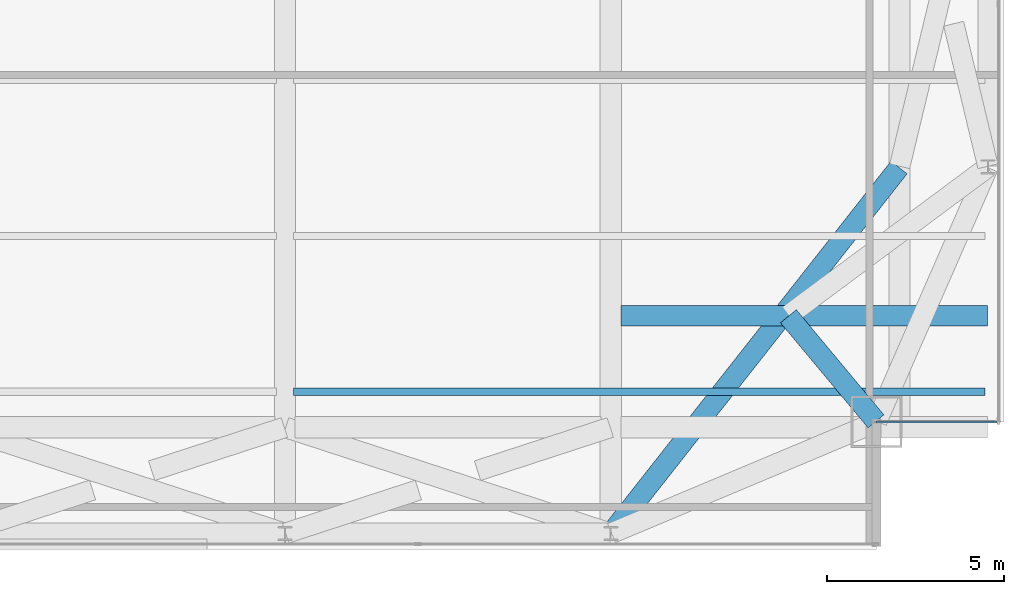
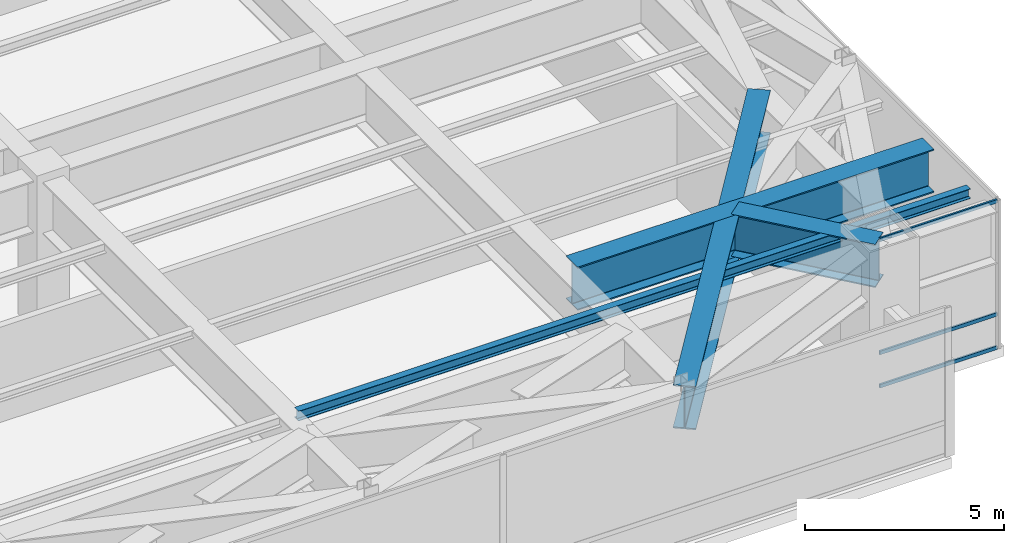
# One storey, part 15 of 32: 4 beams, 3 members, 1 element without a shape of its own.
"""IFC4 building model written with IfcOpenShell, lengths in metres."""

import ifcopenshell
import ifcopenshell.guid

model = None  # the IFC model being written
_history = None  # IfcOwnerHistory: only IFC2X3 demands one
_inside = {}  # id of a spatial element -> (the spatial element, [elements in it])
_under = {}  # id of a project, library or spatial element -> (it, [spatial elements below it])
_declared = {}  # id of a project -> (the project, [libraries it declares])
_typed = {}  # id of a type object -> (the type object, [elements of that type])
_made_of = {}  # id of a material, layer set ... -> (it, [elements and type objects made of it])


def new_model(schema):
    """Start an empty IFC model of exactly this schema.

    Asked for "IFC4X3", IfcOpenShell would pick the latest addendum, in which some entities
    have other attributes; the version numbers below select the first issue.
    IFC2X3 requires an IfcOwnerHistory on every rooted entity: one is made here for all.
    """
    global model, _history
    if schema == "IFC4X3":
        model = ifcopenshell.file(schema_version=(4, 3, 0, 0))
    else:
        model = ifcopenshell.file(schema=schema)
    _inside.clear()
    _under.clear()
    _declared.clear()
    _typed.clear()
    _made_of.clear()
    _history = None
    if model.schema == "IFC2X3":
        org = make("IfcOrganization", Name="unknown")
        user = make(
            "IfcPersonAndOrganization",
            ThePerson=make("IfcPerson", FamilyName="unknown"),
            TheOrganization=org,
        )
        app = make(
            "IfcApplication",
            ApplicationDeveloper=org,
            Version="unknown",
            ApplicationFullName="unknown",
            ApplicationIdentifier="unknown",
        )
        _history = make(
            "IfcOwnerHistory",
            OwningUser=user,
            OwningApplication=app,
            ChangeAction="ADDED",
            CreationDate=0,
        )
    return model


def make(cls, **values):
    """One entity of the class cls with the attributes given. An attribute that is None is left unset."""
    return model.create_entity(
        cls, **{name: value for name, value in values.items() if value is not None}
    )


def rooted(cls, **values):
    """An entity with a GlobalId (a new one), such as an element, a storey or a relation."""
    return make(cls, GlobalId=ifcopenshell.guid.new(), OwnerHistory=_history, **values)


def si_unit(unit_type, name, prefix=None):
    """IfcSIUnit, for example si_unit("LENGTHUNIT", "METRE", prefix="MILLI")."""
    return make("IfcSIUnit", UnitType=unit_type, Prefix=prefix, Name=name)


def assignment(units):
    """IfcUnitAssignment: the units of a project."""
    return None if units is None else make("IfcUnitAssignment", Units=units)


def point(xyz):
    """IfcCartesianPoint."""
    return None if xyz is None else make("IfcCartesianPoint", Coordinates=xyz)


def direction(xyz):
    """IfcDirection."""
    return None if xyz is None else make("IfcDirection", DirectionRatios=xyz)


def frame(location, z_axis=None, x_axis=None):
    """IfcAxis2Placement3D, a coordinate frame: its origin and axes. An axis left out is left unset."""
    return make(
        "IfcAxis2Placement3D",
        Location=point(location),
        Axis=direction(z_axis),
        RefDirection=direction(x_axis),
    )


def frame_2d(location, x_axis=None):
    """IfcAxis2Placement2D, a coordinate frame in the plane: its origin and x axis."""
    return make(
        "IfcAxis2Placement2D", Location=point(location), RefDirection=direction(x_axis)
    )


def origin():
    """The frame at (0, 0, 0) with its axes left unset."""
    return frame((0.0, 0.0, 0.0))


def origin_2d():
    """The frame at (0, 0) in the plane with its x axis left unset."""
    return frame_2d((0.0, 0.0))


def place(relative_to, where):
    """IfcLocalPlacement: puts the frame where relative to a parent placement (None: the world)."""
    return make(
        "IfcLocalPlacement", PlacementRelTo=relative_to, RelativePlacement=where
    )


def context(
    kind, dimensions, precision=None, world=None, true_north=None, identifier=None
):
    """IfcGeometricRepresentationContext, for example the 3D "Model" context."""
    return make(
        "IfcGeometricRepresentationContext",
        ContextIdentifier=identifier,
        ContextType=kind,
        CoordinateSpaceDimension=dimensions,
        Precision=precision,
        WorldCoordinateSystem=world,
        TrueNorth=true_north,
    )


def subcontext(parent, identifier, kind, view, scale=None):
    """IfcGeometricRepresentationSubContext, for example "Body" below "Model"."""
    return make(
        "IfcGeometricRepresentationSubContext",
        ContextIdentifier=identifier,
        ContextType=kind,
        ParentContext=parent,
        TargetScale=scale,
        TargetView=view,
    )


def project(units=None, contexts=None):
    """IfcProject with its units and contexts."""
    return rooted(
        "IfcProject",
        Name="project",
        RepresentationContexts=contexts,
        UnitsInContext=assignment(units),
    )


def spatial(cls, under=None, at=None, **own):
    """A site, building, storey or space (cls), placed at a placement, below another one or the project."""
    s = rooted(cls, ObjectPlacement=at, **own)
    if under is not None:
        _under.setdefault(under.id(), (under, []))[1].append(s)
    return s


def profile(cls, at=None, kind="AREA", **sizes):
    """A parametric profile (cls). Its sizes go by their IFC names, for example OverallWidth=200.0."""
    return make(cls, ProfileType=kind, Position=at, **sizes)


def hollow_rectangle(**sizes):
    """IfcRectangleHollowProfileDef."""
    return profile("IfcRectangleHollowProfileDef", **sizes)


def i_section(**sizes):
    """IfcIShapeProfileDef."""
    return profile("IfcIShapeProfileDef", **sizes)


def extrude(swept, where, along, depth):
    """IfcExtrudedAreaSolid: the profile swept, set in the frame where, extruded along a direction by depth."""
    return make(
        "IfcExtrudedAreaSolid",
        SweptArea=swept,
        Position=where,
        ExtrudedDirection=direction(along),
        Depth=depth,
    )


def shape(context_of_items, identifier, shape_type, items):
    """IfcShapeRepresentation: the items that make up one representation, for example the "Body"."""
    return make(
        "IfcShapeRepresentation",
        ContextOfItems=context_of_items,
        RepresentationIdentifier=identifier,
        RepresentationType=shape_type,
        Items=items,
    )


def source(mapping_origin, context_of_items, identifier, shape_type, items):
    """IfcRepresentationMap: a shape defined once, which mapped items show again and again."""
    return make(
        "IfcRepresentationMap",
        MappingOrigin=mapping_origin,
        MappedRepresentation=shape(context_of_items, identifier, shape_type, items),
    )


def transform(
    local_origin,
    x_axis=None,
    y_axis=None,
    z_axis=None,
    scale=None,
    scale2=None,
    scale3=None,
    uniform=True,
):
    """IfcCartesianTransformationOperator3D, or its non-uniform kind. x_axis, y_axis, z_axis: its Axis1, 2, 3."""
    if uniform:
        return make(
            "IfcCartesianTransformationOperator3D",
            Axis1=direction(x_axis),
            Axis2=direction(y_axis),
            LocalOrigin=point(local_origin),
            Scale=scale,
            Axis3=direction(z_axis),
        )
    return make(
        "IfcCartesianTransformationOperator3DnonUniform",
        Axis1=direction(x_axis),
        Axis2=direction(y_axis),
        LocalOrigin=point(local_origin),
        Scale=scale,
        Axis3=direction(z_axis),
        Scale2=scale2,
        Scale3=scale3,
    )


def mapped(mapping_source, mapping_target):
    """IfcMappedItem: shows the shape of a source again, moved by a transform."""
    return make(
        "IfcMappedItem", MappingSource=mapping_source, MappingTarget=mapping_target
    )


def material(Name=None, Category=None):
    """IfcMaterial."""
    return make("IfcMaterial", Name=Name, Category=Category)


def layer(
    of_material, thickness, ventilated=None, Name=None, Category=None, Priority=None
):
    """IfcMaterialLayer: one layer of a wall or slab, of a material (None: an air gap)."""
    return make(
        "IfcMaterialLayer",
        Material=of_material,
        LayerThickness=thickness,
        IsVentilated=ventilated,
        Name=Name,
        Category=Category,
        Priority=Priority,
    )


def layer_set(layers, Name=None):
    """IfcMaterialLayerSet."""
    return make("IfcMaterialLayerSet", MaterialLayers=layers, LayerSetName=Name)


def material_profile(
    of_material, cross_section, Name=None, Category=None, Priority=None
):
    """IfcMaterialProfile: a cross section and its material."""
    return make(
        "IfcMaterialProfile",
        Name=Name,
        Material=of_material,
        Profile=cross_section,
        Priority=Priority,
        Category=Category,
    )


def profile_set(profiles, Name=None, composite=None):
    """IfcMaterialProfileSet."""
    return make(
        "IfcMaterialProfileSet",
        Name=Name,
        MaterialProfiles=profiles,
        CompositeProfile=composite,
    )


def made_of(thing, what):
    """Note that an element or type object is made of a material, layer set ...; save() writes the relation."""
    if what is not None:
        _made_of.setdefault(what.id(), (what, []))[1].append(thing)
    return thing


def type_object(cls, material=None, **own):
    """A type object (cls), such as IfcWallType, which elements share."""
    return made_of(rooted(cls, **own), material)


def type_shapes(of_type, sources):
    """Give a type object the sources (RepresentationMaps) that its elements show as mapped items."""
    of_type.RepresentationMaps = sources


def element(
    cls,
    number,
    at=None,
    inside=None,
    cuts=None,
    type_object=None,
    material=None,
    context=None,
    identifier="Body",
    shape_type=None,
    held_by="IfcProductDefinitionShape",
    body=None,
    shapes=None,
    **own,
):
    """One element of the class cls, such as IfcWall. Its Tag is "e" and its number.

    at: its placement. inside: the storey or other place that contains it. cuts: it is an
    opening in that element (IfcRelVoidsElement). A single representation is given by context,
    identifier, shape_type and body (its items); several are given by shapes. held_by: the class
    of the entity that holds the representations. save() writes the other relations.
    """
    e = rooted(cls, Tag="e%d" % number, ObjectPlacement=at, **own)
    if body is not None:
        shapes = [shape(context, identifier, shape_type, body)]
    if shapes is not None:
        e.Representation = make(held_by, Representations=shapes)
    if inside is not None:
        _inside.setdefault(inside.id(), (inside, []))[1].append(e)
    if cuts is not None:
        rooted(
            "IfcRelVoidsElement", RelatingBuildingElement=cuts, RelatedOpeningElement=e
        )
    if type_object is not None:
        _typed.setdefault(type_object.id(), (type_object, []))[1].append(e)
    return made_of(e, material)


def aggregate(whole, parts):
    """IfcRelAggregates: a whole, such as a stair, and the parts it consists of."""
    return rooted("IfcRelAggregates", RelatingObject=whole, RelatedObjects=parts)


def save(model, path):
    """Write the relations noted so far, then the file.

    IfcRelAggregates (storeys below a building ...), IfcRelContainedInSpatialStructure (elements
    in a storey), IfcRelDefinesByType, IfcRelAssociatesMaterial and IfcRelDeclares: one each for
    every whole, place, type object, material and project.
    """
    for whole, parts in _under.values():
        aggregate(whole, parts)
    for where, things in _inside.values():
        rooted(
            "IfcRelContainedInSpatialStructure",
            RelatedElements=things,
            RelatingStructure=where,
        )
    for kind, things in _typed.values():
        rooted("IfcRelDefinesByType", RelatedObjects=things, RelatingType=kind)
    for what, things in _made_of.values():
        rooted("IfcRelAssociatesMaterial", RelatedObjects=things, RelatingMaterial=what)
    for by, libraries in _declared.values():
        rooted("IfcRelDeclares", RelatingContext=by, RelatedDefinitions=libraries)
    model.write(path)


model = new_model("IFC4")

# Units and contexts
model_context = context("Model", 3, precision=1e-05, world=origin(), true_north=direction((0.0, 1.0)))
body_context = subcontext(model_context, "Body", "Model", "MODEL_VIEW")
ifc_project = project(units=[si_unit("LENGTHUNIT", "METRE"), si_unit("AREAUNIT", "SQUARE_METRE"), si_unit("VOLUMEUNIT", "CUBIC_METRE"), si_unit("PLANEANGLEUNIT", "RADIAN"), si_unit("MASSUNIT", "GRAM", prefix="KILO")], contexts=[model_context])

# Site, building, storey
site_placement = place(None, origin())
site = spatial("IfcSite", under=ifc_project, at=site_placement, CompositionType="ELEMENT")
building_placement = place(site_placement, origin())
building = spatial("IfcBuilding", under=site, at=building_placement, Name="Varnel Quay Broadcast Tower", CompositionType="ELEMENT")
storey_placement = place(building_placement, frame((0.0, 0.0, 141.0)))
storey = spatial("IfcBuildingStorey", under=building, at=storey_placement, Name="L34", CompositionType="ELEMENT", Elevation=141.0)

# Beams
ifc_material_1 = material(Name="Structural Steel CSA G40.21 350WT", Category="steel")
ifc_material_profile_1 = material_profile(ifc_material_1, i_section(OverallWidth=0.580078125, OverallDepth=1.330078125, WebThickness=0.02197265625, FlangeThickness=0.0380859375, FilletRadius=0.02001953125, at=origin_2d()), Name="WWF1330X535")
ifc_profile_set_1 = profile_set([ifc_material_profile_1], Name="Structural Steel CSA G40.21 350WT")
beam_type_1 = type_object("IfcBeamType", Name="Girder_WWF1330X535", PredefinedType="BEAM", material=ifc_profile_set_1)
shared_shape_1 = source(origin(), body_context, "Body", "SweptSolid", [
    extrude(i_section(OverallWidth=0.580078125, OverallDepth=1.330078125, WebThickness=0.02197265625, FlangeThickness=0.0380859375, FilletRadius=0.02001953125, at=origin_2d()), origin(), (0.0, 0.0, 1.0), 3.864990234375),
])
beam_1_placement = place(storey_placement, frame((59.88720703125, 7.8154296875, 3.885009765625), z_axis=(-0.640184399664, 0.768221279597, 0.0), x_axis=(-0.768221279597, -0.640184399664, 0.0)))
element("IfcBeam", 1, at=beam_1_placement, inside=storey, type_object=beam_type_1, Name="L34 Nodal Transfer Tie MC-SE-MC-SE", PredefinedType="BEAM", context=body_context, shape_type="MappedRepresentation", body=[
    mapped(shared_shape_1, transform((0.0, 0.0, 0.0), x_axis=(1.0, 0.0, 0.0), y_axis=(0.0, 1.0, 0.0), z_axis=(0.0, 0.0, 1.0), scale=1.0)),
])
shared_shape_2 = source(origin(), body_context, "Body", "SweptSolid", [
    extrude(i_section(OverallWidth=0.580078125, OverallDepth=1.330078125, WebThickness=0.02197265625, FlangeThickness=0.0380859375, FilletRadius=0.02001953125, at=origin_2d()), origin(), (0.0, 0.0, 1.0), 10.344970703125),
])
beam_2_placement = place(storey_placement, frame((52.68505859375, 10.800048828125, 3.885009765625), z_axis=(1.0, 0.0, 0.0), x_axis=(0.0, 1.0, 0.0)))
element("IfcBeam", 2, at=beam_2_placement, inside=storey, type_object=beam_type_1, Name="L34 Setback Corner South Transfer 6", PredefinedType="BEAM", context=body_context, shape_type="MappedRepresentation", body=[
    mapped(shared_shape_2, transform((0.0, 0.0, 0.0), x_axis=(1.0, 0.0, 0.0), y_axis=(0.0, 1.0, 0.0), z_axis=(0.0, 0.0, 1.0), scale=1.0)),
])
shared_shape_3 = source(origin(), body_context, "Body", "SweptSolid", [
    extrude(i_section(OverallWidth=0.580078125, OverallDepth=1.330078125, WebThickness=0.02197265625, FlangeThickness=0.0380859375, FilletRadius=0.02001953125, at=origin_2d()), origin(), (0.0, 0.0, 1.0), 13.133544921875),
])
type_shapes(beam_type_1, [shared_shape_1, shared_shape_2, shared_shape_3])
beam_3_placement = place(storey_placement, frame((52.412353515625, 4.665771484375, 3.885009765625), z_axis=(0.61865776221, 0.785660596732, 0.0), x_axis=(-0.785660596732, 0.61865776221, 0.0)))
element("IfcBeam", 3, at=beam_3_placement, inside=storey, type_object=beam_type_1, Name="L34 Nodal Transfer Tie TC-E1-TC-S5", PredefinedType="BEAM", context=body_context, shape_type="MappedRepresentation", body=[
    mapped(shared_shape_3, transform((0.0, 0.0, 0.0), x_axis=(1.0, 0.0, 0.0), y_axis=(0.0, 1.0, 0.0), z_axis=(0.0, 0.0, 1.0), scale=1.0)),
])
ifc_material_2 = material(Name="Structural Steel CSA G40.21 350W", Category="steel")
ifc_material_profile_2 = material_profile(ifc_material_2, i_section(OverallWidth=0.202880859375, OverallDepth=0.302978515625, WebThickness=0.007568359375, FlangeThickness=0.01318359375, FilletRadius=0.011962890625, at=origin_2d()), Name="W310X60")
ifc_profile_set_2 = profile_set([ifc_material_profile_2], Name="Structural Steel CSA G40.21 350W")
beam_type_2 = type_object("IfcBeamType", Name="Beam_W310X60", PredefinedType="JOIST", material=ifc_profile_set_2)
shared_shape_4 = source(origin(), body_context, "Body", "SweptSolid", [
    extrude(i_section(OverallWidth=0.202880859375, OverallDepth=0.302978515625, WebThickness=0.007568359375, FlangeThickness=0.01318359375, FilletRadius=0.011962890625, at=origin_2d()), origin(), (0.0, 0.0, 1.0), 19.51953125),
])
type_shapes(beam_type_2, [shared_shape_4])
beam_4_placement = place(storey_placement, frame((43.445068359375, 8.64990234375, 4.3984375), z_axis=(1.0, 0.0, 0.0), x_axis=(0.0, 1.0, 0.0)))
element("IfcBeam", 4, at=beam_4_placement, inside=storey, type_object=beam_type_2, Name="L34 East Floor Joist 1", PredefinedType="JOIST", context=body_context, shape_type="MappedRepresentation", body=[
    mapped(shared_shape_4, transform((0.0, 0.0, 0.0), x_axis=(1.0, 0.0, 0.0), y_axis=(0.0, 1.0, 0.0), z_axis=(0.0, 0.0, 1.0), scale=1.0)),
])

# Curtain wall, members
ifc_material_3 = material(Name="Anodised Bronze Aluminium 6063-T6", Category="aluminium")
ifc_layer = layer(ifc_material_3, 0.18994140625, Name="Anodised Bronze Aluminium 6063-T6")
ifc_layer_set = layer_set([ifc_layer], Name="Anodised Bronze Aluminium 6063-T6")
curtain_wall_type = type_object("IfcCurtainWallType", Name="CW_NotchCorner", PredefinedType="NOTDEFINED", material=ifc_layer_set)
curtain_wall_placement = place(storey_placement, origin())
curtain_wall = element("IfcCurtainWall", 5, at=curtain_wall_placement, inside=storey, type_object=curtain_wall_type, Name="L34 SE Notch Curtain Wall", PredefinedType="NOTDEFINED")
ifc_material_profile_3 = material_profile(ifc_material_3, hollow_rectangle(XDim=0.054931640625, YDim=0.110107421875, WallThickness=0.0029296875, at=origin_2d()), Name="ALU55X110X3")
ifc_profile_set_3 = profile_set([ifc_material_profile_3], Name="Anodised Bronze Aluminium 6063-T6")
member_type = type_object("IfcMemberType", Name="Tran_CWS-04", PredefinedType="USERDEFINED", material=ifc_profile_set_3)
shared_shape_5 = source(origin(), body_context, "Body", "SweptSolid", [
    extrude(hollow_rectangle(XDim=0.054931640625, YDim=0.110107421875, WallThickness=0.0029296875, at=origin_2d()), origin(), (0.0, 0.0, 1.0), 3.41015625),
])
type_shapes(member_type, [shared_shape_5])
member_1_placement = place(storey_placement, frame((59.8798828125, 7.800048828125, 0.027587890625), z_axis=(1.0, 0.0, 0.0), x_axis=(0.0, 1.0, 0.0)))
member_1 = element("IfcMember", 6, at=member_1_placement, type_object=member_type, Name="CWS-04 transom 1.1", ObjectType="TRANSOM", PredefinedType="USERDEFINED", context=body_context, shape_type="MappedRepresentation", body=[
    mapped(shared_shape_5, transform((0.0, 0.0, 0.0), x_axis=(1.0, 0.0, 0.0), y_axis=(0.0, 1.0, 0.0), z_axis=(0.0, 0.0, 1.0), scale=1.0)),
])
member_2_placement = place(storey_placement, frame((59.8798828125, 7.800048828125, 1.050048828125), z_axis=(1.0, 0.0, 0.0), x_axis=(0.0, 1.0, 0.0)))
member_2 = element("IfcMember", 7, at=member_2_placement, type_object=member_type, Name="CWS-04 transom 1.2", ObjectType="TRANSOM", PredefinedType="USERDEFINED", context=body_context, shape_type="MappedRepresentation", body=[
    mapped(shared_shape_5, transform((0.0, 0.0, 0.0), x_axis=(1.0, 0.0, 0.0), y_axis=(0.0, 1.0, 0.0), z_axis=(0.0, 0.0, 1.0), scale=1.0)),
])
member_3_placement = place(storey_placement, frame((59.8798828125, 7.800048828125, 4.5224609375), z_axis=(1.0, 0.0, 0.0), x_axis=(0.0, 1.0, 0.0)))
member_3 = element("IfcMember", 8, at=member_3_placement, type_object=member_type, Name="CWS-04 transom 1.3", ObjectType="TRANSOM", PredefinedType="USERDEFINED", context=body_context, shape_type="MappedRepresentation", body=[
    mapped(shared_shape_5, transform((0.0, 0.0, 0.0), x_axis=(1.0, 0.0, 0.0), y_axis=(0.0, 1.0, 0.0), z_axis=(0.0, 0.0, 1.0), scale=1.0)),
])
aggregate(curtain_wall, [member_1, member_2, member_3])

save(model, "model.ifc")
